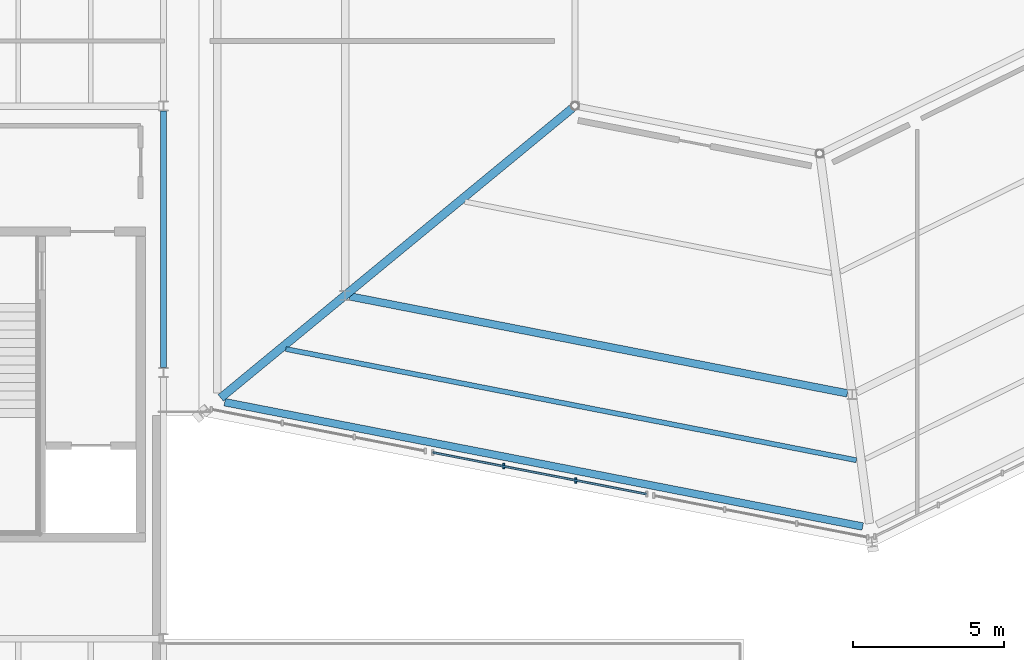
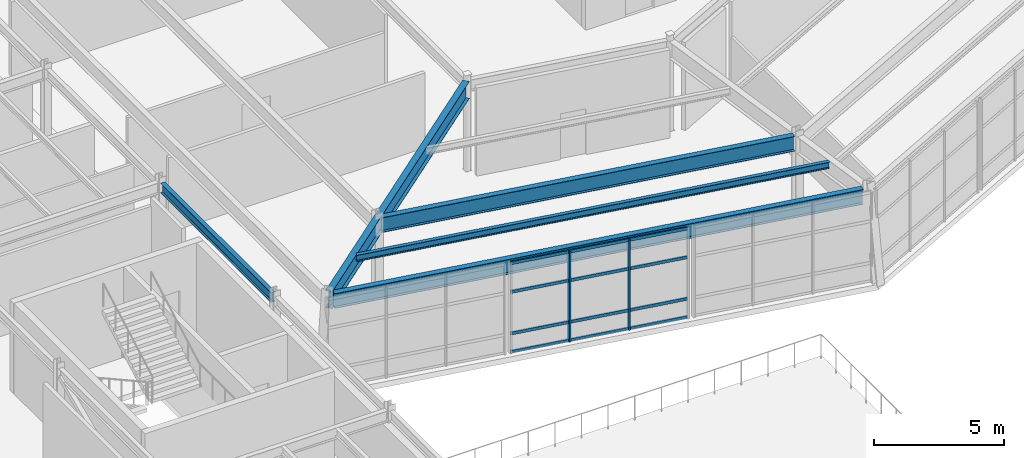
# One storey, part 23 of 69: 6 members, 5 beams, 1 element without a shape of its own.
"""IFC4 building model written with IfcOpenShell, lengths in metres."""

from ifc_helpers import new_model, si_unit, direction, frame, origin, origin_2d, place, context, subcontext, project, spatial, rectangle, i_section, extrude, material, material_profile, profile_set, type_object, element, aggregate, save


model = new_model("IFC4")

# Units and contexts
model_context = context("Model", 3, precision=1e-05, world=origin(), true_north=direction((0.0, 1.0)))
body_context = subcontext(model_context, "Body", "Model", "MODEL_VIEW")
ifc_project = project(units=[si_unit("LENGTHUNIT", "METRE"), si_unit("AREAUNIT", "SQUARE_METRE"), si_unit("VOLUMEUNIT", "CUBIC_METRE"), si_unit("PLANEANGLEUNIT", "RADIAN"), si_unit("MASSUNIT", "GRAM", prefix="KILO")], contexts=[model_context])

# Site, building, storey
site_placement = place(None, origin())
site = spatial("IfcSite", under=ifc_project, at=site_placement, CompositionType="ELEMENT")
building_placement = place(site_placement, origin())
building = spatial("IfcBuilding", under=site, at=building_placement, Name="Sarnbrook Museum", CompositionType="ELEMENT")
storey_placement = place(building_placement, frame((0.0, 0.0, 14.60009765625)))
storey = spatial("IfcBuildingStorey", under=building, at=storey_placement, Name="L03", CompositionType="ELEMENT", Elevation=14.60009765625)

# Beams
ifc_material_1 = material(Name="Structural Steel Grade 300PLUS (AS/NZS 3679.1, fy = 280 MPa for 17 < t <= 40 mm, 300 MPa for t <= 17 mm)", Category="steel")
ifc_material_profile_1 = material_profile(ifc_material_1, i_section(OverallWidth=0.18994140625, OverallDepth=0.45703125, WebThickness=0.009033203125, FlangeThickness=0.014404296875, FilletRadius=0.011474609375, at=origin_2d()), Name="460UB74.6")
ifc_profile_set_1 = profile_set([ifc_material_profile_1], Name="Structural Steel Grade 300PLUS (AS/NZS 3679.1, fy = 280 MPa for 17 < t <= 40 mm, 300 MPa for t <= 17 mm)")
beam_type_1 = type_object("IfcBeamType", Name="BM-UB460", PredefinedType="BEAM", material=ifc_profile_set_1)
beam_1_placement = place(storey_placement, frame((119.199951171875, 65.757568359375, 4.021484375), z_axis=(0.0, 1.0, 0.0), x_axis=(-1.0, 0.0, 0.0)))
element("IfcBeam", 1, at=beam_1_placement, inside=storey, type_object=beam_type_1, Name="Girder 13:H-J L03", PredefinedType="BEAM", context=body_context, shape_type="SweptSolid", body=[
    extrude(i_section(OverallWidth=0.18994140625, OverallDepth=0.45703125, WebThickness=0.009033203125, FlangeThickness=0.014404296875, FilletRadius=0.011474609375, at=origin_2d()), origin(), (0.0, 0.0, 1.0), 8.48486328125),
])
ifc_material_2 = material(Name="Structural Steel Grade 350L0 (AS/NZS 3678, fy = 340 MPa for 20 < t <= 40 mm)", Category="steel")
ifc_material_profile_2 = material_profile(ifc_material_2, i_section(OverallWidth=0.25, OverallDepth=0.699951171875, WebThickness=0.010009765625, FlangeThickness=0.01611328125, at=origin_2d()), Name="700WB130")
ifc_profile_set_2 = profile_set([ifc_material_profile_2], Name="Structural Steel Grade 350L0 (AS/NZS 3678, fy = 340 MPa for 20 < t <= 40 mm)")
beam_type_2 = type_object("IfcBeamType", Name="BM-WB700", PredefinedType="BEAM", material=ifc_profile_set_2)
beam_2_placement = place(storey_placement, frame((121.22265625, 64.616455078125, 3.889892578125), z_axis=(0.981529394202, -0.191311390979, 0.0), x_axis=(0.191311390979, 0.981529394202, 0.0)))
element("IfcBeam", 2, at=beam_2_placement, inside=storey, type_object=beam_type_2, Name="Crystal Hall Perimeter Ring Girder 1 L03", PredefinedType="BEAM", context=body_context, shape_type="SweptSolid", body=[
    extrude(i_section(OverallWidth=0.25, OverallDepth=0.699951171875, WebThickness=0.010009765625, FlangeThickness=0.01611328125, at=origin_2d()), origin(), (0.0, 0.0, 1.0), 21.478759765625),
])
beam_3_placement = place(storey_placement, frame((125.35693359375, 68.11279296875, 3.889892578125), z_axis=(0.981528590883, -0.191315512384, 0.0), x_axis=(0.191315512384, 0.981528590883, 0.0)))
element("IfcBeam", 3, at=beam_3_placement, inside=storey, type_object=beam_type_2, Name="Crystal Hall R1 Ring Girder 1 L03", PredefinedType="BEAM", context=body_context, shape_type="SweptSolid", body=[
    extrude(i_section(OverallWidth=0.25, OverallDepth=0.699951171875, WebThickness=0.010009765625, FlangeThickness=0.01611328125, at=origin_2d()), origin(), (0.0, 0.0, 1.0), 16.75146484375),
])
ifc_material_profile_3 = material_profile(ifc_material_2, i_section(OverallWidth=0.27490234375, OverallDepth=0.800048828125, WebThickness=0.010009765625, FlangeThickness=0.01611328125, at=origin_2d()), Name="800WB146")
ifc_profile_set_3 = profile_set([ifc_material_profile_3], Name="Structural Steel Grade 350L0 (AS/NZS 3678, fy = 340 MPa for 20 < t <= 40 mm)")
beam_type_3 = type_object("IfcBeamType", Name="CR-CANT", PredefinedType="BEAM", material=ifc_profile_set_3)
beam_4_placement = place(storey_placement, frame((132.70751953125, 74.328857421875, 3.83984375), z_axis=(-0.771793004965, -0.635873853438, 0.0), x_axis=(0.635873853438, -0.771793004965, 0.0)))
element("IfcBeam", 4, at=beam_4_placement, inside=storey, type_object=beam_type_3, Name="Crystal Hall Radial Cantilever Girder 1 L03", PredefinedType="BEAM", context=body_context, shape_type="SweptSolid", body=[
    extrude(i_section(OverallWidth=0.27490234375, OverallDepth=0.800048828125, WebThickness=0.010009765625, FlangeThickness=0.01611328125, at=origin_2d()), origin(), (0.0, 0.0, 1.0), 15.048828125),
])

# Curtain wall, members
ifc_material_3 = material(Name="Thermally Broken Anodised Aluminium 6063-T6", Category="aluminium")
curtain_wall_type = type_object("IfcCurtainWallType", Name="CurtainWall_CrystalFacet", PredefinedType="NOTDEFINED", material=ifc_material_3)
curtain_wall_placement = place(storey_placement, origin())
curtain_wall = element("IfcCurtainWall", 5, at=curtain_wall_placement, inside=storey, type_object=curtain_wall_type, Name="Crystal Hall Facet Curtain Wall L03-F1.2", PredefinedType="NOTDEFINED")
ifc_material_profile_4 = material_profile(ifc_material_3, rectangle(XDim=0.06494140625, YDim=0.179931640625, at=origin_2d()), Name="ALU MULLION 65x180")
ifc_profile_set_4 = profile_set([ifc_material_profile_4], Name="Thermally Broken Anodised Aluminium 6063-T6")
member_type_1 = type_object("IfcMemberType", Name="CW_Mullion_180x75", PredefinedType="MULLION", material=ifc_profile_set_4)
member_1_placement = place(storey_placement, frame((130.43701171875, 62.501220703125, 0.0), z_axis=(0.0, 0.0, 1.0), x_axis=(1.0, 0.0, 0.0)))
member_1 = element("IfcMember", 6, at=member_1_placement, type_object=member_type_1, Name="Crystal Hall Facet Curtain Wall L03-F1.2 Mullion 2", PredefinedType="MULLION", context=body_context, shape_type="SweptSolid", body=[
    extrude(rectangle(XDim=0.06494140625, YDim=0.179931640625, at=origin_2d()), origin(), (0.0, 0.0, 1.0), 4.239990234375),
])
member_2_placement = place(storey_placement, frame((132.8212890625, 62.03662109375, 0.0), z_axis=(0.0, 0.0, 1.0), x_axis=(1.0, 0.0, 0.0)))
member_2 = element("IfcMember", 7, at=member_2_placement, type_object=member_type_1, Name="Crystal Hall Facet Curtain Wall L03-F1.2 Mullion 3", PredefinedType="MULLION", context=body_context, shape_type="SweptSolid", body=[
    extrude(rectangle(XDim=0.06494140625, YDim=0.179931640625, at=origin_2d()), origin(), (0.0, 0.0, 1.0), 4.239990234375),
])
ifc_material_profile_5 = material_profile(ifc_material_3, rectangle(XDim=0.06494140625, YDim=0.139892578125, at=origin_2d()), Name="ALU TRANSOM 65x140")
ifc_profile_set_5 = profile_set([ifc_material_profile_5], Name="Thermally Broken Anodised Aluminium 6063-T6")
member_type_2 = type_object("IfcMemberType", Name="CW_Transom_150x65", PredefinedType="USERDEFINED", material=ifc_profile_set_5)
member_3_placement = place(storey_placement, frame((128.1015625, 62.95654296875, 0.039794921875), z_axis=(0.981525301363, -0.191332388226, 0.0), x_axis=(0.191332388226, 0.981525301363, 0.0)))
member_3 = element("IfcMember", 8, at=member_3_placement, type_object=member_type_2, Name="Crystal Hall Facet Curtain Wall L03-F1.2 Transom 1", ObjectType="TRANSOM", PredefinedType="USERDEFINED", context=body_context, shape_type="SweptSolid", body=[
    extrude(rectangle(XDim=0.06494140625, YDim=0.139892578125, at=origin_2d()), origin(), (0.0, 0.0, 1.0), 7.187744140625),
])
member_4_placement = place(storey_placement, frame((128.1015625, 62.95654296875, 0.89990234375), z_axis=(0.981525301363, -0.191332388226, 0.0), x_axis=(0.191332388226, 0.981525301363, 0.0)))
member_4 = element("IfcMember", 9, at=member_4_placement, type_object=member_type_2, Name="Crystal Hall Facet Curtain Wall L03-F1.2 Transom 2", ObjectType="TRANSOM", PredefinedType="USERDEFINED", context=body_context, shape_type="SweptSolid", body=[
    extrude(rectangle(XDim=0.06494140625, YDim=0.139892578125, at=origin_2d()), origin(), (0.0, 0.0, 1.0), 7.187744140625),
])
member_5_placement = place(storey_placement, frame((128.1015625, 62.95654296875, 2.849853515625), z_axis=(0.981525301363, -0.191332388226, 0.0), x_axis=(0.191332388226, 0.981525301363, 0.0)))
member_5 = element("IfcMember", 10, at=member_5_placement, type_object=member_type_2, Name="Crystal Hall Facet Curtain Wall L03-F1.2 Transom 3", ObjectType="TRANSOM", PredefinedType="USERDEFINED", context=body_context, shape_type="SweptSolid", body=[
    extrude(rectangle(XDim=0.06494140625, YDim=0.139892578125, at=origin_2d()), origin(), (0.0, 0.0, 1.0), 7.187744140625),
])
member_6_placement = place(storey_placement, frame((128.1015625, 62.95654296875, 4.199951171875), z_axis=(0.981525301363, -0.191332388226, 0.0), x_axis=(0.191332388226, 0.981525301363, 0.0)))
member_6 = element("IfcMember", 11, at=member_6_placement, type_object=member_type_2, Name="Crystal Hall Facet Curtain Wall L03-F1.2 Transom 4", ObjectType="TRANSOM", PredefinedType="USERDEFINED", context=body_context, shape_type="SweptSolid", body=[
    extrude(rectangle(XDim=0.06494140625, YDim=0.139892578125, at=origin_2d()), origin(), (0.0, 0.0, 1.0), 7.187744140625),
])
aggregate(curtain_wall, [member_1, member_2, member_3, member_4, member_5, member_6])

# Beam
ifc_material_profile_6 = material_profile(ifc_material_1, i_section(OverallWidth=0.1650390625, OverallDepth=0.303955078125, WebThickness=0.006103515625, FlangeThickness=0.01025390625, FilletRadius=0.011474609375, at=origin_2d()), Name="310UB40.4")
ifc_profile_set_6 = profile_set([ifc_material_profile_6], Name="Structural Steel Grade 300PLUS (AS/NZS 3679.1, fy = 280 MPa for 17 < t <= 40 mm, 300 MPa for t <= 17 mm)")
beam_type_4 = type_object("IfcBeamType", Name="JS-UB310", PredefinedType="JOIST", material=ifc_profile_set_6)
beam_5_placement = place(storey_placement, frame((123.24560546875, 66.373291015625, 4.087890625), z_axis=(0.981530143145, -0.191307548461, 0.0), x_axis=(0.191307548461, 0.981530143145, 0.0)))
element("IfcBeam", 12, at=beam_5_placement, inside=storey, type_object=beam_type_4, Name="Crystal Hall Tangential Joist MO-1 L03", PredefinedType="JOIST", context=body_context, shape_type="SweptSolid", body=[
    extrude(i_section(OverallWidth=0.1650390625, OverallDepth=0.303955078125, WebThickness=0.006103515625, FlangeThickness=0.01025390625, FilletRadius=0.011474609375, at=origin_2d()), origin(), (0.0, 0.0, 1.0), 19.205078125),
])

save(model, "model.ifc")
